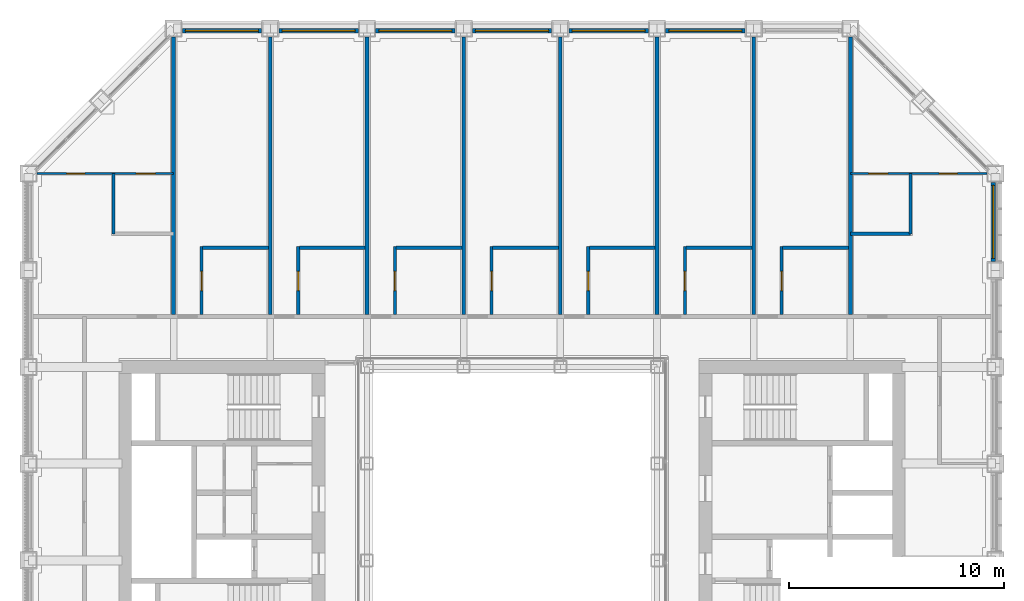
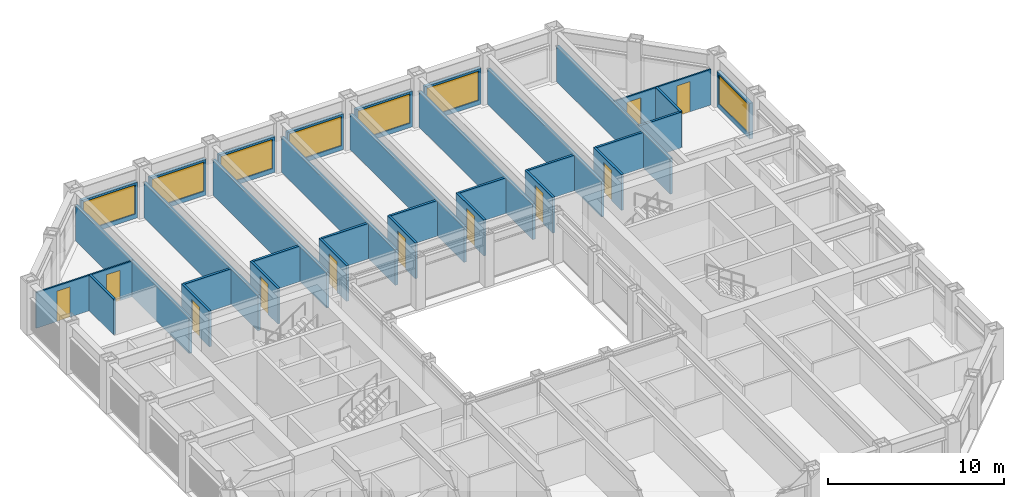
# One storey, part 14 of 18: 34 walls, 11 doors, 7 windows, 18 openings.
"""IFC4 building model written with IfcOpenShell, lengths in metres."""

from ifc_helpers import new_model, si_unit, direction, frame, frame_2d, origin, place, context, subcontext, project, spatial, rectangle, extrude, material, layer, layer_set, type_object, element, fill, save


model = new_model("IFC4")

# Units and contexts
model_context = context("Model", 3, precision=1e-05, world=origin(), true_north=direction((0.0, 1.0)))
body_context = subcontext(model_context, "Body", "Model", "MODEL_VIEW")
ifc_project = project(units=[si_unit("LENGTHUNIT", "METRE"), si_unit("AREAUNIT", "SQUARE_METRE"), si_unit("VOLUMEUNIT", "CUBIC_METRE"), si_unit("PLANEANGLEUNIT", "RADIAN"), si_unit("MASSUNIT", "GRAM", prefix="KILO")], contexts=[model_context])

# Site, building, storey
site_placement = place(None, origin())
site = spatial("IfcSite", under=ifc_project, at=site_placement, CompositionType="ELEMENT")
building_placement = place(site_placement, origin())
building = spatial("IfcBuilding", under=site, at=building_placement, Name="Msasa Ring Tower", CompositionType="ELEMENT")
storey_placement = place(building_placement, frame((0.0, 0.0, 125.60009765625)))
storey = spatial("IfcBuildingStorey", under=building, at=storey_placement, Name="L32", CompositionType="ELEMENT", Elevation=125.60009765625)

# Wall, opening, window
ifc_material_1 = material(Name="Terracotta rainscreen on blockwork", Category="masonry")
ifc_layer_1 = layer(ifc_material_1, 0.199951171875)
ifc_layer_set_1 = layer_set([ifc_layer_1], Name="FW1 TERRACOTTA-LINED INFILL BAY WALL 200")
wall_type_1 = type_object("IfcWallType", Name="FW1 TERRACOTTA-LINED INFILL BAY WALL 200", PredefinedType="SOLIDWALL", material=ifc_layer_set_1)
wall_1_placement = place(storey_placement, frame((22.39990234375, 11.655029296875, 0.0), z_axis=(0.0, 0.0, 1.0), x_axis=(0.0, 1.0, 0.0)))
wall_1 = element("IfcWall", 1, at=wall_1_placement, inside=storey, type_object=wall_type_1, Name="Infill bay wall E L32 15", PredefinedType="SOLIDWALL", context=body_context, shape_type="SweptSolid", body=[
    extrude(rectangle(XDim=3.68994140625, YDim=0.199951171875, at=frame_2d((1.844970703125, 0.0))), origin(), (0.0, 0.0, 1.0), 2.47900390625),
])
opening_1_placement = place(wall_1_placement, frame((0.14501953125, 0.0, 0.300048828125)))
opening_1 = element("IfcOpeningElement", 2, at=opening_1_placement, cuts=wall_1, Name="Opening WN2", PredefinedType="OPENING", context=body_context, shape_type="SweptSolid", body=[
    extrude(rectangle(XDim=3.39990234375, YDim=2.029052734375, at=frame_2d((1.699951171875, 1.0146484375))), frame((0.0, 0.10986328125, 0.0), z_axis=(0.0, -1.0, 0.0), x_axis=(1.0, 0.0, 0.0)), (0.0, 0.0, 1.0), 0.219970703125),
])
ifc_material_2 = material(Name="Aluminium frame with clear glass", Category="aluminium")
window_type = type_object("IfcWindowType", Name="WN2 GUEST ROOM WINDOW 3400x2029", PartitioningType="SINGLE_PANEL", PredefinedType="WINDOW", material=ifc_material_2)
window_1_placement = place(opening_1_placement, origin())
window_1 = element("IfcWindow", 3, at=window_1_placement, inside=storey, type_object=window_type, Name="Window E L32 15", OverallHeight=2.029052734375, OverallWidth=3.39990234375, PartitioningType="SINGLE_PANEL", PredefinedType="WINDOW", context=body_context, shape_type="SweptSolid", body=[
    extrude(rectangle(XDim=3.39990234375, YDim=2.029052734375, at=frame_2d((1.699951171875, 1.0146484375))), frame((0.0, 0.030029296875, 0.0), z_axis=(0.0, -1.0, 0.0), x_axis=(1.0, 0.0, 0.0)), (0.0, 0.0, 1.0), 0.06005859375),
])
fill(opening_1, window_1)

wall_2_placement = place(storey_placement, frame((-15.344970703125, 22.39990234375, 0.0), z_axis=(0.0, 0.0, 1.0), x_axis=(1.0, 0.0, 0.0)))
wall_2 = element("IfcWall", 4, at=wall_2_placement, inside=storey, type_object=wall_type_1, Name="Infill bay wall N L32 18", PredefinedType="SOLIDWALL", context=body_context, shape_type="SweptSolid", body=[
    extrude(rectangle(XDim=3.68994140625, YDim=0.199951171875, at=frame_2d((1.844970703125, 0.0))), origin(), (0.0, 0.0, 1.0), 2.47900390625),
])
opening_2_placement = place(wall_2_placement, frame((0.14501953125, 0.0, 0.300048828125)))
opening_2 = element("IfcOpeningElement", 5, at=opening_2_placement, cuts=wall_2, Name="Opening WN2", PredefinedType="OPENING", context=body_context, shape_type="SweptSolid", body=[
    extrude(rectangle(XDim=3.39990234375, YDim=2.029052734375, at=frame_2d((1.699951171875, 1.0146484375))), frame((0.0, 0.10986328125, 0.0), z_axis=(0.0, -1.0, 0.0), x_axis=(1.0, 0.0, 0.0)), (0.0, 0.0, 1.0), 0.219970703125),
])
window_2_placement = place(opening_2_placement, origin())
window_2 = element("IfcWindow", 6, at=window_2_placement, inside=storey, type_object=window_type, Name="Window N L32 18", OverallHeight=2.029052734375, OverallWidth=3.39990234375, PartitioningType="SINGLE_PANEL", PredefinedType="WINDOW", context=body_context, shape_type="SweptSolid", body=[
    extrude(rectangle(XDim=3.39990234375, YDim=2.029052734375, at=frame_2d((1.699951171875, 1.0146484375))), frame((0.0, 0.030029296875, 0.0), z_axis=(0.0, -1.0, 0.0), x_axis=(1.0, 0.0, 0.0)), (0.0, 0.0, 1.0), 0.06005859375),
])
fill(opening_2, window_2)

wall_3_placement = place(storey_placement, frame((-10.844970703125, 22.39990234375, 0.0), z_axis=(0.0, 0.0, 1.0), x_axis=(1.0, 0.0, 0.0)))
wall_3 = element("IfcWall", 7, at=wall_3_placement, inside=storey, type_object=wall_type_1, Name="Infill bay wall N L32 19", PredefinedType="SOLIDWALL", context=body_context, shape_type="SweptSolid", body=[
    extrude(rectangle(XDim=3.68994140625, YDim=0.199951171875, at=frame_2d((1.844970703125, 0.0))), origin(), (0.0, 0.0, 1.0), 2.47900390625),
])
opening_3_placement = place(wall_3_placement, frame((0.14501953125, 0.0, 0.300048828125)))
opening_3 = element("IfcOpeningElement", 8, at=opening_3_placement, cuts=wall_3, Name="Opening WN2", PredefinedType="OPENING", context=body_context, shape_type="SweptSolid", body=[
    extrude(rectangle(XDim=3.39990234375, YDim=2.029052734375, at=frame_2d((1.699951171875, 1.0146484375))), frame((0.0, 0.10986328125, 0.0), z_axis=(0.0, -1.0, 0.0), x_axis=(1.0, 0.0, 0.0)), (0.0, 0.0, 1.0), 0.219970703125),
])
window_3_placement = place(opening_3_placement, origin())
window_3 = element("IfcWindow", 9, at=window_3_placement, inside=storey, type_object=window_type, Name="Window N L32 19", OverallHeight=2.029052734375, OverallWidth=3.39990234375, PartitioningType="SINGLE_PANEL", PredefinedType="WINDOW", context=body_context, shape_type="SweptSolid", body=[
    extrude(rectangle(XDim=3.39990234375, YDim=2.029052734375, at=frame_2d((1.699951171875, 1.0146484375))), frame((0.0, 0.030029296875, 0.0), z_axis=(0.0, -1.0, 0.0), x_axis=(1.0, 0.0, 0.0)), (0.0, 0.0, 1.0), 0.06005859375),
])
fill(opening_3, window_3)

wall_4_placement = place(storey_placement, frame((-6.344970703125, 22.39990234375, 0.0), z_axis=(0.0, 0.0, 1.0), x_axis=(1.0, 0.0, 0.0)))
wall_4 = element("IfcWall", 10, at=wall_4_placement, inside=storey, type_object=wall_type_1, Name="Infill bay wall N L32 20", PredefinedType="SOLIDWALL", context=body_context, shape_type="SweptSolid", body=[
    extrude(rectangle(XDim=3.68994140625, YDim=0.199951171875, at=frame_2d((1.844970703125, 0.0))), origin(), (0.0, 0.0, 1.0), 2.47900390625),
])
opening_4_placement = place(wall_4_placement, frame((0.14501953125, 0.0, 0.300048828125)))
opening_4 = element("IfcOpeningElement", 11, at=opening_4_placement, cuts=wall_4, Name="Opening WN2", PredefinedType="OPENING", context=body_context, shape_type="SweptSolid", body=[
    extrude(rectangle(XDim=3.39990234375, YDim=2.029052734375, at=frame_2d((1.699951171875, 1.0146484375))), frame((0.0, 0.10986328125, 0.0), z_axis=(0.0, -1.0, 0.0), x_axis=(1.0, 0.0, 0.0)), (0.0, 0.0, 1.0), 0.219970703125),
])
window_4_placement = place(opening_4_placement, origin())
window_4 = element("IfcWindow", 12, at=window_4_placement, inside=storey, type_object=window_type, Name="Window N L32 20", OverallHeight=2.029052734375, OverallWidth=3.39990234375, PartitioningType="SINGLE_PANEL", PredefinedType="WINDOW", context=body_context, shape_type="SweptSolid", body=[
    extrude(rectangle(XDim=3.39990234375, YDim=2.029052734375, at=frame_2d((1.699951171875, 1.0146484375))), frame((0.0, 0.030029296875, 0.0), z_axis=(0.0, -1.0, 0.0), x_axis=(1.0, 0.0, 0.0)), (0.0, 0.0, 1.0), 0.06005859375),
])
fill(opening_4, window_4)

wall_5_placement = place(storey_placement, frame((-1.844970703125, 22.39990234375, 0.0), z_axis=(0.0, 0.0, 1.0), x_axis=(1.0, 0.0, 0.0)))
wall_5 = element("IfcWall", 13, at=wall_5_placement, inside=storey, type_object=wall_type_1, Name="Infill bay wall N L32 21", PredefinedType="SOLIDWALL", context=body_context, shape_type="SweptSolid", body=[
    extrude(rectangle(XDim=3.68994140625, YDim=0.199951171875, at=frame_2d((1.844970703125, 0.0))), origin(), (0.0, 0.0, 1.0), 2.47900390625),
])
opening_5_placement = place(wall_5_placement, frame((0.14501953125, 0.0, 0.300048828125)))
opening_5 = element("IfcOpeningElement", 14, at=opening_5_placement, cuts=wall_5, Name="Opening WN2", PredefinedType="OPENING", context=body_context, shape_type="SweptSolid", body=[
    extrude(rectangle(XDim=3.39990234375, YDim=2.029052734375, at=frame_2d((1.699951171875, 1.0146484375))), frame((0.0, 0.10986328125, 0.0), z_axis=(0.0, -1.0, 0.0), x_axis=(1.0, 0.0, 0.0)), (0.0, 0.0, 1.0), 0.219970703125),
])
window_5_placement = place(opening_5_placement, origin())
window_5 = element("IfcWindow", 15, at=window_5_placement, inside=storey, type_object=window_type, Name="Window N L32 21", OverallHeight=2.029052734375, OverallWidth=3.39990234375, PartitioningType="SINGLE_PANEL", PredefinedType="WINDOW", context=body_context, shape_type="SweptSolid", body=[
    extrude(rectangle(XDim=3.39990234375, YDim=2.029052734375, at=frame_2d((1.699951171875, 1.0146484375))), frame((0.0, 0.030029296875, 0.0), z_axis=(0.0, -1.0, 0.0), x_axis=(1.0, 0.0, 0.0)), (0.0, 0.0, 1.0), 0.06005859375),
])
fill(opening_5, window_5)

wall_6_placement = place(storey_placement, frame((2.655029296875, 22.39990234375, 0.0), z_axis=(0.0, 0.0, 1.0), x_axis=(1.0, 0.0, 0.0)))
wall_6 = element("IfcWall", 16, at=wall_6_placement, inside=storey, type_object=wall_type_1, Name="Infill bay wall N L32 22", PredefinedType="SOLIDWALL", context=body_context, shape_type="SweptSolid", body=[
    extrude(rectangle(XDim=3.68994140625, YDim=0.199951171875, at=frame_2d((1.844970703125, 0.0))), origin(), (0.0, 0.0, 1.0), 2.47900390625),
])
opening_6_placement = place(wall_6_placement, frame((0.14501953125, 0.0, 0.300048828125)))
opening_6 = element("IfcOpeningElement", 17, at=opening_6_placement, cuts=wall_6, Name="Opening WN2", PredefinedType="OPENING", context=body_context, shape_type="SweptSolid", body=[
    extrude(rectangle(XDim=3.39990234375, YDim=2.029052734375, at=frame_2d((1.699951171875, 1.0146484375))), frame((0.0, 0.10986328125, 0.0), z_axis=(0.0, -1.0, 0.0), x_axis=(1.0, 0.0, 0.0)), (0.0, 0.0, 1.0), 0.219970703125),
])
window_6_placement = place(opening_6_placement, origin())
window_6 = element("IfcWindow", 18, at=window_6_placement, inside=storey, type_object=window_type, Name="Window N L32 22", OverallHeight=2.029052734375, OverallWidth=3.39990234375, PartitioningType="SINGLE_PANEL", PredefinedType="WINDOW", context=body_context, shape_type="SweptSolid", body=[
    extrude(rectangle(XDim=3.39990234375, YDim=2.029052734375, at=frame_2d((1.699951171875, 1.0146484375))), frame((0.0, 0.030029296875, 0.0), z_axis=(0.0, -1.0, 0.0), x_axis=(1.0, 0.0, 0.0)), (0.0, 0.0, 1.0), 0.06005859375),
])
fill(opening_6, window_6)

wall_7_placement = place(storey_placement, frame((7.155029296875, 22.39990234375, 0.0), z_axis=(0.0, 0.0, 1.0), x_axis=(1.0, 0.0, 0.0)))
wall_7 = element("IfcWall", 19, at=wall_7_placement, inside=storey, type_object=wall_type_1, Name="Infill bay wall N L32 23", PredefinedType="SOLIDWALL", context=body_context, shape_type="SweptSolid", body=[
    extrude(rectangle(XDim=3.68994140625, YDim=0.199951171875, at=frame_2d((1.844970703125, 0.0))), origin(), (0.0, 0.0, 1.0), 2.47900390625),
])
opening_7_placement = place(wall_7_placement, frame((0.14501953125, 0.0, 0.300048828125)))
opening_7 = element("IfcOpeningElement", 20, at=opening_7_placement, cuts=wall_7, Name="Opening WN2", PredefinedType="OPENING", context=body_context, shape_type="SweptSolid", body=[
    extrude(rectangle(XDim=3.39990234375, YDim=2.029052734375, at=frame_2d((1.699951171875, 1.0146484375))), frame((0.0, 0.10986328125, 0.0), z_axis=(0.0, -1.0, 0.0), x_axis=(1.0, 0.0, 0.0)), (0.0, 0.0, 1.0), 0.219970703125),
])
window_7_placement = place(opening_7_placement, origin())
window_7 = element("IfcWindow", 21, at=window_7_placement, inside=storey, type_object=window_type, Name="Window N L32 23", OverallHeight=2.029052734375, OverallWidth=3.39990234375, PartitioningType="SINGLE_PANEL", PredefinedType="WINDOW", context=body_context, shape_type="SweptSolid", body=[
    extrude(rectangle(XDim=3.39990234375, YDim=2.029052734375, at=frame_2d((1.699951171875, 1.0146484375))), frame((0.0, 0.030029296875, 0.0), z_axis=(0.0, -1.0, 0.0), x_axis=(1.0, 0.0, 0.0)), (0.0, 0.0, 1.0), 0.06005859375),
])
fill(opening_7, window_7)

# Wall, openings, doors
ifc_material_3 = material(Name="Gypsum board on steel studs", Category="steel")
ifc_layer_2 = layer(ifc_material_3, 0.10009765625)
ifc_layer_set_2 = layer_set([ifc_layer_2], Name="PT2 STUD PARTITION 100")
wall_type_2 = type_object("IfcWallType", Name="PT2 STUD PARTITION 100", PredefinedType="PARTITIONING", material=ifc_layer_set_2)
wall_8_placement = place(storey_placement, frame((15.75, 15.75, 0.0), z_axis=(0.0, 0.0, 1.0), x_axis=(1.0, 0.0, 0.0)))
wall_8 = element("IfcWall", 22, at=wall_8_placement, inside=storey, type_object=wall_type_2, Name="Partition L32-CSNEX", PredefinedType="PARTITIONING", context=body_context, shape_type="SweptSolid", body=[
    extrude(rectangle(XDim=6.35009765625, YDim=0.10009765625, at=frame_2d((3.175048828125, 0.0))), origin(), (0.0, 0.0, 1.0), 2.473388671875),
])
opening_8_placement = place(wall_8_placement, frame((4.125, 0.0, 0.0)))
opening_8 = element("IfcOpeningElement", 23, at=opening_8_placement, cuts=wall_8, Name="Opening HA-004", PredefinedType="OPENING", context=body_context, shape_type="SweptSolid", body=[
    extrude(rectangle(XDim=0.85009765625, YDim=2.10009765625, at=frame_2d((0.425048828125, 1.050048828125))), frame((0.0, 0.06005859375, 0.0), z_axis=(0.0, -1.0, 0.0), x_axis=(1.0, 0.0, 0.0)), (0.0, 0.0, 1.0), 0.1201171875),
])
opening_9_placement = place(wall_8_placement, frame((0.85009765625, 0.0, 0.0)))
opening_9 = element("IfcOpeningElement", 24, at=opening_9_placement, cuts=wall_8, Name="Opening HA-003", PredefinedType="OPENING", context=body_context, shape_type="SweptSolid", body=[
    extrude(rectangle(XDim=0.89990234375, YDim=2.10009765625, at=frame_2d((0.449951171875, 1.050048828125))), frame((0.0, 0.06005859375, 0.0), z_axis=(0.0, -1.0, 0.0), x_axis=(1.0, 0.0, 0.0)), (0.0, 0.0, 1.0), 0.1201171875),
])
ifc_material_4 = material(Name="Timber door leaf in a steel frame", Category="steel")
door_type_1 = type_object("IfcDoorType", Name="D14 BEDROOM DOOR 850x2100", OperationType="SINGLE_SWING_LEFT", PredefinedType="DOOR", material=ifc_material_4)
door_1_placement = place(opening_8_placement, origin())
door_1 = element("IfcDoor", 25, at=door_1_placement, inside=storey, type_object=door_type_1, Name="Door L32-CSNER1", OperationType="SINGLE_SWING_RIGHT", OverallHeight=2.10009765625, OverallWidth=0.85009765625, PredefinedType="DOOR", context=body_context, shape_type="SweptSolid", body=[
    extrude(rectangle(XDim=0.85009765625, YDim=2.10009765625, at=frame_2d((0.425048828125, 1.050048828125))), frame((0.0, 0.02490234375, 0.0), z_axis=(0.0, -1.0, 0.0), x_axis=(1.0, 0.0, 0.0)), (0.0, 0.0, 1.0), 0.050048828125),
])
fill(opening_8, door_1)
ifc_material_5 = material(Name="Timber door leaf in a steel frame", Category="steel")
door_type_2 = type_object("IfcDoorType", Name="D3 BATHROOM DOOR 900x2100", OperationType="SINGLE_SWING_LEFT", PredefinedType="DOOR", material=ifc_material_5)
door_2_placement = place(opening_9_placement, origin())
door_2 = element("IfcDoor", 26, at=door_2_placement, inside=storey, type_object=door_type_2, Name="Door L32-CSNEB1", OperationType="SINGLE_SWING_LEFT", OverallHeight=2.10009765625, OverallWidth=0.89990234375, PredefinedType="DOOR", context=body_context, shape_type="SweptSolid", body=[
    extrude(rectangle(XDim=0.89990234375, YDim=2.10009765625, at=frame_2d((0.449951171875, 1.050048828125))), frame((0.0, 0.02490234375, 0.0), z_axis=(0.0, -1.0, 0.0), x_axis=(1.0, 0.0, 0.0)), (0.0, 0.0, 1.0), 0.050048828125),
])
fill(opening_9, door_2)

wall_9_placement = place(storey_placement, frame((-22.10009765625, 15.75, 0.0), z_axis=(0.0, 0.0, 1.0), x_axis=(1.0, 0.0, 0.0)))
wall_9 = element("IfcWall", 27, at=wall_9_placement, inside=storey, type_object=wall_type_2, Name="Partition L32-CSNWX", PredefinedType="PARTITIONING", context=body_context, shape_type="SweptSolid", body=[
    extrude(rectangle(XDim=6.35009765625, YDim=0.10009765625, at=frame_2d((3.175048828125, 0.0))), origin(), (0.0, 0.0, 1.0), 2.473388671875),
])
opening_10_placement = place(wall_9_placement, frame((1.375, 0.0, 0.0)))
opening_10 = element("IfcOpeningElement", 28, at=opening_10_placement, cuts=wall_9, Name="Opening HA-001", PredefinedType="OPENING", context=body_context, shape_type="SweptSolid", body=[
    extrude(rectangle(XDim=0.85009765625, YDim=2.10009765625, at=frame_2d((0.425048828125, 1.050048828125))), frame((0.0, 0.06005859375, 0.0), z_axis=(0.0, -1.0, 0.0), x_axis=(1.0, 0.0, 0.0)), (0.0, 0.0, 1.0), 0.1201171875),
])
opening_11_placement = place(wall_9_placement, frame((4.60009765625, 0.0, 0.0)))
opening_11 = element("IfcOpeningElement", 29, at=opening_11_placement, cuts=wall_9, Name="Opening HA-002", PredefinedType="OPENING", context=body_context, shape_type="SweptSolid", body=[
    extrude(rectangle(XDim=0.89990234375, YDim=2.10009765625, at=frame_2d((0.449951171875, 1.050048828125))), frame((0.0, 0.06005859375, 0.0), z_axis=(0.0, -1.0, 0.0), x_axis=(1.0, 0.0, 0.0)), (0.0, 0.0, 1.0), 0.1201171875),
])
door_3_placement = place(opening_10_placement, origin())
door_3 = element("IfcDoor", 30, at=door_3_placement, inside=storey, type_object=door_type_1, Name="Door L32-CSNWR1", OperationType="SINGLE_SWING_LEFT", OverallHeight=2.10009765625, OverallWidth=0.85009765625, PredefinedType="DOOR", context=body_context, shape_type="SweptSolid", body=[
    extrude(rectangle(XDim=0.85009765625, YDim=2.10009765625, at=frame_2d((0.425048828125, 1.050048828125))), frame((0.0, 0.02490234375, 0.0), z_axis=(0.0, -1.0, 0.0), x_axis=(1.0, 0.0, 0.0)), (0.0, 0.0, 1.0), 0.050048828125),
])
fill(opening_10, door_3)
door_4_placement = place(opening_11_placement, origin())
door_4 = element("IfcDoor", 31, at=door_4_placement, inside=storey, type_object=door_type_2, Name="Door L32-CSNWB1", OperationType="SINGLE_SWING_RIGHT", OverallHeight=2.10009765625, OverallWidth=0.89990234375, PredefinedType="DOOR", context=body_context, shape_type="SweptSolid", body=[
    extrude(rectangle(XDim=0.89990234375, YDim=2.10009765625, at=frame_2d((0.449951171875, 1.050048828125))), frame((0.0, 0.02490234375, 0.0), z_axis=(0.0, -1.0, 0.0), x_axis=(1.0, 0.0, 0.0)), (0.0, 0.0, 1.0), 0.050048828125),
])
fill(opening_11, door_4)

# Wall, opening, door
ifc_material_6 = material(Name="Moisture-resistant board on steel studs with a concealed cistern and pipe void, tiled", Category="steel")
ifc_layer_3 = layer(ifc_material_6, 0.14990234375)
ifc_layer_set_3 = layer_set([ifc_layer_3], Name="PT4 BATHROOM WET WALL 150")
wall_type_3 = type_object("IfcWallType", Name="PT4 BATHROOM WET WALL 150", PredefinedType="PARTITIONING", material=ifc_layer_set_3)
wall_10_placement = place(storey_placement, frame((-14.449951171875, 9.199951171875, 0.0), z_axis=(0.0, 0.0, 1.0), x_axis=(0.0, 1.0, 0.0)))
wall_10 = element("IfcWall", 32, at=wall_10_placement, inside=storey, type_object=wall_type_3, Name="Partition L32-GN00BX", PredefinedType="PARTITIONING", context=body_context, shape_type="SweptSolid", body=[
    extrude(rectangle(XDim=3.150146484375, YDim=0.14990234375, at=frame_2d((1.5751953125, 0.0))), origin(), (0.0, 0.0, 1.0), 2.473388671875),
])
opening_12_placement = place(wall_10_placement, frame((1.10009765625, 0.0, 0.0)))
opening_12 = element("IfcOpeningElement", 33, at=opening_12_placement, cuts=wall_10, Name="Opening HA-005", PredefinedType="OPENING", context=body_context, shape_type="SweptSolid", body=[
    extrude(rectangle(XDim=0.89990234375, YDim=2.10009765625, at=frame_2d((0.449951171875, 1.050048828125))), frame((0.0, 0.0849609375, 0.0), z_axis=(0.0, -1.0, 0.0), x_axis=(1.0, 0.0, 0.0)), (0.0, 0.0, 1.0), 0.169921875),
])
door_5_placement = place(opening_12_placement, origin())
door_5 = element("IfcDoor", 34, at=door_5_placement, inside=storey, type_object=door_type_2, Name="Door L32-GN00B", OperationType="SINGLE_SWING_LEFT", OverallHeight=2.10009765625, OverallWidth=0.89990234375, PredefinedType="DOOR", context=body_context, shape_type="SweptSolid", body=[
    extrude(rectangle(XDim=0.89990234375, YDim=2.10009765625, at=frame_2d((0.449951171875, 1.050048828125))), frame((0.0, 0.02490234375, 0.0), z_axis=(0.0, -1.0, 0.0), x_axis=(1.0, 0.0, 0.0)), (0.0, 0.0, 1.0), 0.050048828125),
])
fill(opening_12, door_5)

# Wall
wall_11_placement = place(storey_placement, frame((-14.39990234375, 12.300048828125, 0.0), z_axis=(0.0, 0.0, 1.0), x_axis=(1.0, 0.0, 0.0)))
element("IfcWall", 35, at=wall_11_placement, inside=storey, type_object=wall_type_3, Name="Partition L32-GN00BY", PredefinedType="PARTITIONING", context=body_context, shape_type="SweptSolid", body=[
    extrude(rectangle(XDim=3.0625, YDim=0.14990234375, at=frame_2d((1.53125, 0.0))), origin(), (0.0, 0.0, 1.0), 2.473388671875),
])

# Wall, opening, door
wall_12_placement = place(storey_placement, frame((-9.949951171875, 9.199951171875, 0.0), z_axis=(0.0, 0.0, 1.0), x_axis=(0.0, 1.0, 0.0)))
wall_12 = element("IfcWall", 36, at=wall_12_placement, inside=storey, type_object=wall_type_3, Name="Partition L32-GN01BX", PredefinedType="PARTITIONING", context=body_context, shape_type="SweptSolid", body=[
    extrude(rectangle(XDim=3.150146484375, YDim=0.14990234375, at=frame_2d((1.5751953125, 0.0))), origin(), (0.0, 0.0, 1.0), 2.473388671875),
])
opening_13_placement = place(wall_12_placement, frame((1.10009765625, 0.0, 0.0)))
opening_13 = element("IfcOpeningElement", 37, at=opening_13_placement, cuts=wall_12, Name="Opening HA-006", PredefinedType="OPENING", context=body_context, shape_type="SweptSolid", body=[
    extrude(rectangle(XDim=0.89990234375, YDim=2.10009765625, at=frame_2d((0.449951171875, 1.050048828125))), frame((0.0, 0.0849609375, 0.0), z_axis=(0.0, -1.0, 0.0), x_axis=(1.0, 0.0, 0.0)), (0.0, 0.0, 1.0), 0.169921875),
])
door_6_placement = place(opening_13_placement, origin())
door_6 = element("IfcDoor", 38, at=door_6_placement, inside=storey, type_object=door_type_2, Name="Door L32-GN01B", OperationType="SINGLE_SWING_LEFT", OverallHeight=2.10009765625, OverallWidth=0.89990234375, PredefinedType="DOOR", context=body_context, shape_type="SweptSolid", body=[
    extrude(rectangle(XDim=0.89990234375, YDim=2.10009765625, at=frame_2d((0.449951171875, 1.050048828125))), frame((0.0, 0.02490234375, 0.0), z_axis=(0.0, -1.0, 0.0), x_axis=(1.0, 0.0, 0.0)), (0.0, 0.0, 1.0), 0.050048828125),
])
fill(opening_13, door_6)

# Wall
wall_13_placement = place(storey_placement, frame((-9.89990234375, 12.300048828125, 0.0), z_axis=(0.0, 0.0, 1.0), x_axis=(1.0, 0.0, 0.0)))
element("IfcWall", 39, at=wall_13_placement, inside=storey, type_object=wall_type_3, Name="Partition L32-GN01BY", PredefinedType="PARTITIONING", context=body_context, shape_type="SweptSolid", body=[
    extrude(rectangle(XDim=3.0625, YDim=0.14990234375, at=frame_2d((1.53125, 0.0))), origin(), (0.0, 0.0, 1.0), 2.473388671875),
])

# Wall, opening, door
wall_14_placement = place(storey_placement, frame((-5.449951171875, 9.199951171875, 0.0), z_axis=(0.0, 0.0, 1.0), x_axis=(0.0, 1.0, 0.0)))
wall_14 = element("IfcWall", 40, at=wall_14_placement, inside=storey, type_object=wall_type_3, Name="Partition L32-GN02BX", PredefinedType="PARTITIONING", context=body_context, shape_type="SweptSolid", body=[
    extrude(rectangle(XDim=3.150146484375, YDim=0.14990234375, at=frame_2d((1.5751953125, 0.0))), origin(), (0.0, 0.0, 1.0), 2.473388671875),
])
opening_14_placement = place(wall_14_placement, frame((1.10009765625, 0.0, 0.0)))
opening_14 = element("IfcOpeningElement", 41, at=opening_14_placement, cuts=wall_14, Name="Opening HA-007", PredefinedType="OPENING", context=body_context, shape_type="SweptSolid", body=[
    extrude(rectangle(XDim=0.89990234375, YDim=2.10009765625, at=frame_2d((0.449951171875, 1.050048828125))), frame((0.0, 0.0849609375, 0.0), z_axis=(0.0, -1.0, 0.0), x_axis=(1.0, 0.0, 0.0)), (0.0, 0.0, 1.0), 0.169921875),
])
door_7_placement = place(opening_14_placement, origin())
door_7 = element("IfcDoor", 42, at=door_7_placement, inside=storey, type_object=door_type_2, Name="Door L32-GN02B", OperationType="SINGLE_SWING_LEFT", OverallHeight=2.10009765625, OverallWidth=0.89990234375, PredefinedType="DOOR", context=body_context, shape_type="SweptSolid", body=[
    extrude(rectangle(XDim=0.89990234375, YDim=2.10009765625, at=frame_2d((0.449951171875, 1.050048828125))), frame((0.0, 0.02490234375, 0.0), z_axis=(0.0, -1.0, 0.0), x_axis=(1.0, 0.0, 0.0)), (0.0, 0.0, 1.0), 0.050048828125),
])
fill(opening_14, door_7)

# Wall
wall_15_placement = place(storey_placement, frame((-5.39990234375, 12.300048828125, 0.0), z_axis=(0.0, 0.0, 1.0), x_axis=(1.0, 0.0, 0.0)))
element("IfcWall", 43, at=wall_15_placement, inside=storey, type_object=wall_type_3, Name="Partition L32-GN02BY", PredefinedType="PARTITIONING", context=body_context, shape_type="SweptSolid", body=[
    extrude(rectangle(XDim=3.0625, YDim=0.14990234375, at=frame_2d((1.53125, 0.0))), origin(), (0.0, 0.0, 1.0), 2.473388671875),
])

# Wall, opening, door
wall_16_placement = place(storey_placement, frame((-0.949951171875, 9.199951171875, 0.0), z_axis=(0.0, 0.0, 1.0), x_axis=(0.0, 1.0, 0.0)))
wall_16 = element("IfcWall", 44, at=wall_16_placement, inside=storey, type_object=wall_type_3, Name="Partition L32-GN03BX", PredefinedType="PARTITIONING", context=body_context, shape_type="SweptSolid", body=[
    extrude(rectangle(XDim=3.150146484375, YDim=0.14990234375, at=frame_2d((1.5751953125, 0.0))), origin(), (0.0, 0.0, 1.0), 2.473388671875),
])
opening_15_placement = place(wall_16_placement, frame((1.10009765625, 0.0, 0.0)))
opening_15 = element("IfcOpeningElement", 45, at=opening_15_placement, cuts=wall_16, Name="Opening HA-008", PredefinedType="OPENING", context=body_context, shape_type="SweptSolid", body=[
    extrude(rectangle(XDim=0.89990234375, YDim=2.10009765625, at=frame_2d((0.449951171875, 1.050048828125))), frame((0.0, 0.0849609375, 0.0), z_axis=(0.0, -1.0, 0.0), x_axis=(1.0, 0.0, 0.0)), (0.0, 0.0, 1.0), 0.169921875),
])
door_8_placement = place(opening_15_placement, origin())
door_8 = element("IfcDoor", 46, at=door_8_placement, inside=storey, type_object=door_type_2, Name="Door L32-GN03B", OperationType="SINGLE_SWING_LEFT", OverallHeight=2.10009765625, OverallWidth=0.89990234375, PredefinedType="DOOR", context=body_context, shape_type="SweptSolid", body=[
    extrude(rectangle(XDim=0.89990234375, YDim=2.10009765625, at=frame_2d((0.449951171875, 1.050048828125))), frame((0.0, 0.02490234375, 0.0), z_axis=(0.0, -1.0, 0.0), x_axis=(1.0, 0.0, 0.0)), (0.0, 0.0, 1.0), 0.050048828125),
])
fill(opening_15, door_8)

# Wall
wall_17_placement = place(storey_placement, frame((-0.89990234375, 12.300048828125, 0.0), z_axis=(0.0, 0.0, 1.0), x_axis=(1.0, 0.0, 0.0)))
element("IfcWall", 47, at=wall_17_placement, inside=storey, type_object=wall_type_3, Name="Partition L32-GN03BY", PredefinedType="PARTITIONING", context=body_context, shape_type="SweptSolid", body=[
    extrude(rectangle(XDim=3.0625, YDim=0.14990234375, at=frame_2d((1.53125, 0.0))), origin(), (0.0, 0.0, 1.0), 2.473388671875),
])

# Wall, opening, door
wall_18_placement = place(storey_placement, frame((3.550048828125, 9.199951171875, 0.0), z_axis=(0.0, 0.0, 1.0), x_axis=(0.0, 1.0, 0.0)))
wall_18 = element("IfcWall", 48, at=wall_18_placement, inside=storey, type_object=wall_type_3, Name="Partition L32-GN04BX", PredefinedType="PARTITIONING", context=body_context, shape_type="SweptSolid", body=[
    extrude(rectangle(XDim=3.150146484375, YDim=0.14990234375, at=frame_2d((1.5751953125, 0.0))), origin(), (0.0, 0.0, 1.0), 2.473388671875),
])
opening_16_placement = place(wall_18_placement, frame((1.10009765625, 0.0, 0.0)))
opening_16 = element("IfcOpeningElement", 49, at=opening_16_placement, cuts=wall_18, Name="Opening HA-009", PredefinedType="OPENING", context=body_context, shape_type="SweptSolid", body=[
    extrude(rectangle(XDim=0.89990234375, YDim=2.10009765625, at=frame_2d((0.449951171875, 1.050048828125))), frame((0.0, 0.0849609375, 0.0), z_axis=(0.0, -1.0, 0.0), x_axis=(1.0, 0.0, 0.0)), (0.0, 0.0, 1.0), 0.169921875),
])
door_9_placement = place(opening_16_placement, origin())
door_9 = element("IfcDoor", 50, at=door_9_placement, inside=storey, type_object=door_type_2, Name="Door L32-GN04B", OperationType="SINGLE_SWING_LEFT", OverallHeight=2.10009765625, OverallWidth=0.89990234375, PredefinedType="DOOR", context=body_context, shape_type="SweptSolid", body=[
    extrude(rectangle(XDim=0.89990234375, YDim=2.10009765625, at=frame_2d((0.449951171875, 1.050048828125))), frame((0.0, 0.02490234375, 0.0), z_axis=(0.0, -1.0, 0.0), x_axis=(1.0, 0.0, 0.0)), (0.0, 0.0, 1.0), 0.050048828125),
])
fill(opening_16, door_9)

# Wall
wall_19_placement = place(storey_placement, frame((3.60009765625, 12.300048828125, 0.0), z_axis=(0.0, 0.0, 1.0), x_axis=(1.0, 0.0, 0.0)))
element("IfcWall", 51, at=wall_19_placement, inside=storey, type_object=wall_type_3, Name="Partition L32-GN04BY", PredefinedType="PARTITIONING", context=body_context, shape_type="SweptSolid", body=[
    extrude(rectangle(XDim=3.0625, YDim=0.14990234375, at=frame_2d((1.53125, 0.0))), origin(), (0.0, 0.0, 1.0), 2.473388671875),
])

# Wall, opening, door
wall_20_placement = place(storey_placement, frame((8.050048828125, 9.199951171875, 0.0), z_axis=(0.0, 0.0, 1.0), x_axis=(0.0, 1.0, 0.0)))
wall_20 = element("IfcWall", 52, at=wall_20_placement, inside=storey, type_object=wall_type_3, Name="Partition L32-GN05BX", PredefinedType="PARTITIONING", context=body_context, shape_type="SweptSolid", body=[
    extrude(rectangle(XDim=3.150146484375, YDim=0.14990234375, at=frame_2d((1.5751953125, 0.0))), origin(), (0.0, 0.0, 1.0), 2.473388671875),
])
opening_17_placement = place(wall_20_placement, frame((1.10009765625, 0.0, 0.0)))
opening_17 = element("IfcOpeningElement", 53, at=opening_17_placement, cuts=wall_20, Name="Opening HA-010", PredefinedType="OPENING", context=body_context, shape_type="SweptSolid", body=[
    extrude(rectangle(XDim=0.89990234375, YDim=2.10009765625, at=frame_2d((0.449951171875, 1.050048828125))), frame((0.0, 0.0849609375, 0.0), z_axis=(0.0, -1.0, 0.0), x_axis=(1.0, 0.0, 0.0)), (0.0, 0.0, 1.0), 0.169921875),
])
door_10_placement = place(opening_17_placement, origin())
door_10 = element("IfcDoor", 54, at=door_10_placement, inside=storey, type_object=door_type_2, Name="Door L32-GN05B", OperationType="SINGLE_SWING_LEFT", OverallHeight=2.10009765625, OverallWidth=0.89990234375, PredefinedType="DOOR", context=body_context, shape_type="SweptSolid", body=[
    extrude(rectangle(XDim=0.89990234375, YDim=2.10009765625, at=frame_2d((0.449951171875, 1.050048828125))), frame((0.0, 0.02490234375, 0.0), z_axis=(0.0, -1.0, 0.0), x_axis=(1.0, 0.0, 0.0)), (0.0, 0.0, 1.0), 0.050048828125),
])
fill(opening_17, door_10)

# Wall
wall_21_placement = place(storey_placement, frame((8.10009765625, 12.300048828125, 0.0), z_axis=(0.0, 0.0, 1.0), x_axis=(1.0, 0.0, 0.0)))
element("IfcWall", 55, at=wall_21_placement, inside=storey, type_object=wall_type_3, Name="Partition L32-GN05BY", PredefinedType="PARTITIONING", context=body_context, shape_type="SweptSolid", body=[
    extrude(rectangle(XDim=3.0625, YDim=0.14990234375, at=frame_2d((1.53125, 0.0))), origin(), (0.0, 0.0, 1.0), 2.473388671875),
])

# Wall, opening, door
wall_22_placement = place(storey_placement, frame((12.550048828125, 9.199951171875, 0.0), z_axis=(0.0, 0.0, 1.0), x_axis=(0.0, 1.0, 0.0)))
wall_22 = element("IfcWall", 56, at=wall_22_placement, inside=storey, type_object=wall_type_3, Name="Partition L32-GN06BX", PredefinedType="PARTITIONING", context=body_context, shape_type="SweptSolid", body=[
    extrude(rectangle(XDim=3.150146484375, YDim=0.14990234375, at=frame_2d((1.5751953125, 0.0))), origin(), (0.0, 0.0, 1.0), 2.473388671875),
])
opening_18_placement = place(wall_22_placement, frame((1.10009765625, 0.0, 0.0)))
opening_18 = element("IfcOpeningElement", 57, at=opening_18_placement, cuts=wall_22, Name="Opening HA-011", PredefinedType="OPENING", context=body_context, shape_type="SweptSolid", body=[
    extrude(rectangle(XDim=0.89990234375, YDim=2.10009765625, at=frame_2d((0.449951171875, 1.050048828125))), frame((0.0, 0.0849609375, 0.0), z_axis=(0.0, -1.0, 0.0), x_axis=(1.0, 0.0, 0.0)), (0.0, 0.0, 1.0), 0.169921875),
])
door_11_placement = place(opening_18_placement, origin())
door_11 = element("IfcDoor", 58, at=door_11_placement, inside=storey, type_object=door_type_2, Name="Door L32-GN06B", OperationType="SINGLE_SWING_LEFT", OverallHeight=2.10009765625, OverallWidth=0.89990234375, PredefinedType="DOOR", context=body_context, shape_type="SweptSolid", body=[
    extrude(rectangle(XDim=0.89990234375, YDim=2.10009765625, at=frame_2d((0.449951171875, 1.050048828125))), frame((0.0, 0.02490234375, 0.0), z_axis=(0.0, -1.0, 0.0), x_axis=(1.0, 0.0, 0.0)), (0.0, 0.0, 1.0), 0.050048828125),
])
fill(opening_18, door_11)

# Walls
wall_23_placement = place(storey_placement, frame((12.60009765625, 12.300048828125, 0.0), z_axis=(0.0, 0.0, 1.0), x_axis=(1.0, 0.0, 0.0)))
element("IfcWall", 59, at=wall_23_placement, inside=storey, type_object=wall_type_3, Name="Partition L32-GN06BY", PredefinedType="PARTITIONING", context=body_context, shape_type="SweptSolid", body=[
    extrude(rectangle(XDim=3.0625, YDim=0.14990234375, at=frame_2d((1.53125, 0.0))), origin(), (0.0, 0.0, 1.0), 2.473388671875),
])
for number, where, z_axis, x_axis, name in (
    (60, (18.550048828125, 12.949951171875, 0.0), (0.0, 0.0, 1.0), (0.0, 1.0, 0.0), "Partition L32-CSNEBX"),
    (61, (15.75, 12.949951171875, 0.0), (0.0, 0.0, 1.0), (1.0, 0.0, 0.0), "Partition L32-CSNEBY"),
    (62, (-18.550048828125, 12.949951171875, 0.0), (0.0, 0.0, 1.0), (0.0, 1.0, 0.0), "Partition L32-CSNWBX"),
):
    element("IfcWall", number, at=place(storey_placement, frame(where, z_axis=z_axis, x_axis=x_axis)), inside=storey, type_object=wall_type_3, Name=name, PredefinedType="PARTITIONING", context=body_context, shape_type="SweptSolid", body=[
        extrude(rectangle(XDim=2.800048828125, YDim=0.14990234375, at=frame_2d((1.39990234375, 0.0))), origin(), (0.0, 0.0, 1.0), 2.473388671875),
    ])
ifc_material_7 = material(Name="Twin steel studs, two layers of acoustic board each face, mineral wool", Category="steel")
ifc_layer_4 = layer(ifc_material_7, 0.175048828125)
ifc_layer_set_4 = layer_set([ifc_layer_4], Name="PT5 GUEST ROOM SEPARATING WALL 175")
wall_type_4 = type_object("IfcWallType", Name="PT5 GUEST ROOM SEPARATING WALL 175", PredefinedType="PARTITIONING", material=ifc_layer_set_4)
for number, where, z_axis, x_axis, name in (
    (63, (-15.75, 9.199951171875, 0.0), (0.0, 0.0, 1.0), (0.0, 1.0, 0.0), "Partition L32-PWN-15.75"),
    (64, (-11.25, 9.199951171875, 0.0), (0.0, 0.0, 1.0), (0.0, 1.0, 0.0), "Partition L32-PWN-11.25"),
    (65, (-6.75, 9.199951171875, 0.0), (0.0, 0.0, 1.0), (0.0, 1.0, 0.0), "Partition L32-PWN-6.75"),
    (66, (-2.25, 9.199951171875, 0.0), (0.0, 0.0, 1.0), (0.0, 1.0, 0.0), "Partition L32-PWN-2.25"),
    (67, (2.25, 9.199951171875, 0.0), (0.0, 0.0, 1.0), (0.0, 1.0, 0.0), "Partition L32-PWN+2.25"),
    (68, (6.75, 9.199951171875, 0.0), (0.0, 0.0, 1.0), (0.0, 1.0, 0.0), "Partition L32-PWN+6.75"),
    (69, (11.25, 9.199951171875, 0.0), (0.0, 0.0, 1.0), (0.0, 1.0, 0.0), "Partition L32-PWN+11.25"),
    (70, (15.75, 9.199951171875, 0.0), (0.0, 0.0, 1.0), (0.0, 1.0, 0.0), "Partition L32-PWN+15.75"),
):
    element("IfcWall", number, at=place(storey_placement, frame(where, z_axis=z_axis, x_axis=x_axis)), inside=storey, type_object=wall_type_4, Name=name, PredefinedType="PARTITIONING", context=body_context, shape_type="SweptSolid", body=[
        extrude(rectangle(XDim=12.900146484375, YDim=0.175048828125, at=frame_2d((6.4501953125, 0.0))), origin(), (0.0, 0.0, 1.0), 2.473388671875),
    ])

save(model, "model.ifc")
